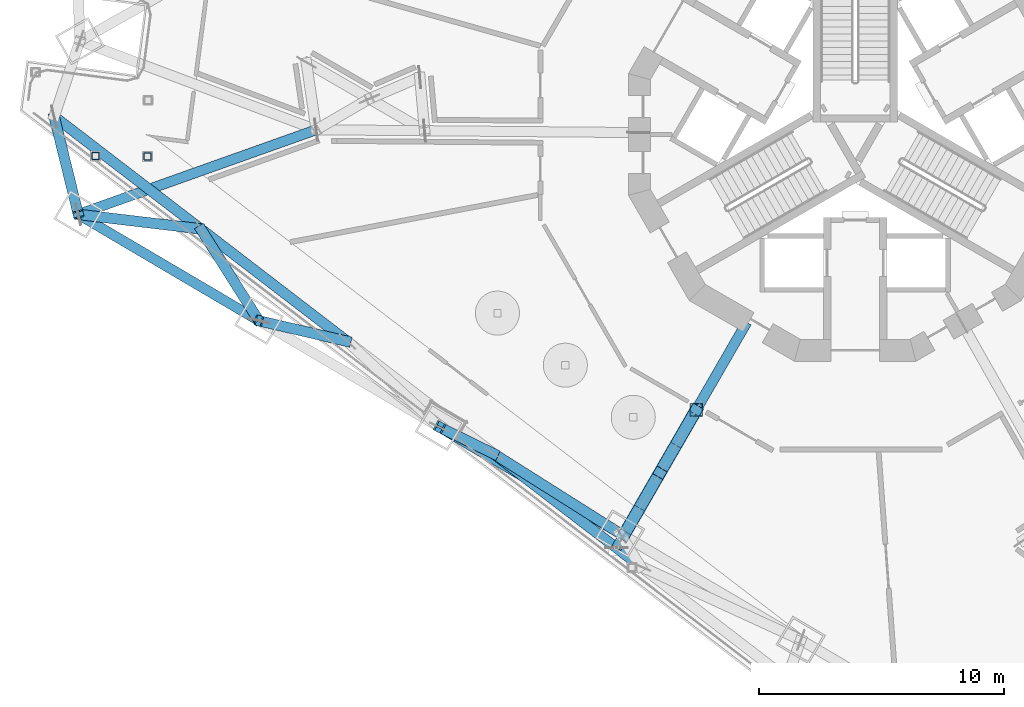
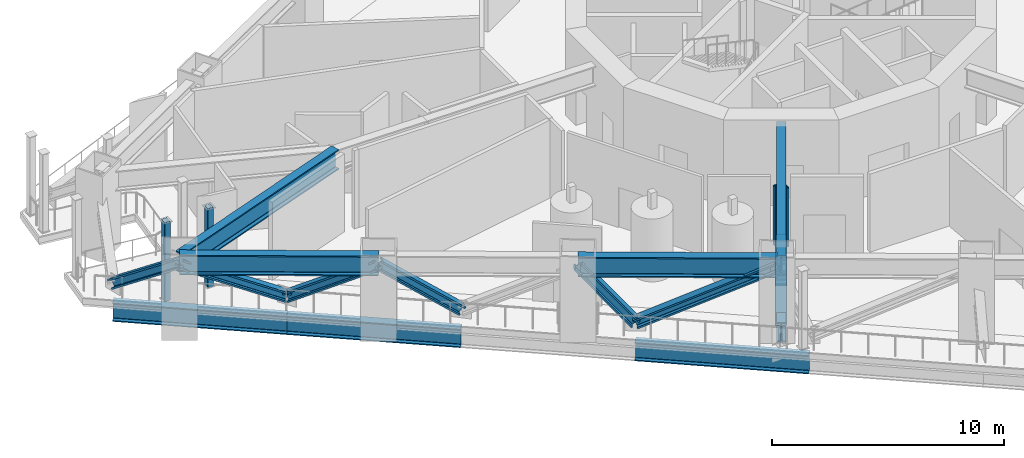
# One storey, part 2 of 23: 22 members, 1 beam.
"""IFC4 building model written with IfcOpenShell, lengths in metres."""

from ifc_helpers import new_model, si_unit, direction, frame, origin, origin_2d, place, context, subcontext, project, spatial, hollow_rectangle, i_section, extrude, material, material_profile, profile_set, type_object, element, save


model = new_model("IFC4")

# Units and contexts
model_context = context("Model", 3, precision=1e-05, world=origin(), true_north=direction((0.0, 1.0)))
body_context = subcontext(model_context, "Body", "Model", "MODEL_VIEW")
ifc_project = project(units=[si_unit("LENGTHUNIT", "METRE"), si_unit("AREAUNIT", "SQUARE_METRE"), si_unit("VOLUMEUNIT", "CUBIC_METRE"), si_unit("PLANEANGLEUNIT", "RADIAN"), si_unit("MASSUNIT", "GRAM", prefix="KILO")], contexts=[model_context])

# Site, building, storey
site_placement = place(None, origin())
site = spatial("IfcSite", under=ifc_project, at=site_placement, CompositionType="ELEMENT")
building_placement = place(site_placement, origin())
building = spatial("IfcBuilding", under=site, at=building_placement, Name="Trine Commons Tower", CompositionType="ELEMENT")
storey_placement = place(building_placement, frame((0.0, 0.0, 156.60009765625)))
storey = spatial("IfcBuildingStorey", under=building, at=storey_placement, Name="L40", CompositionType="ELEMENT", Elevation=156.60009765625)

# Beam
ifc_material_1 = material(Name="Structural steel ASTM A992 Gr50", Category="steel")
ifc_material_profile_1 = material_profile(ifc_material_1, i_section(OverallWidth=0.412841796875, OverallDepth=1.0478515625, WebThickness=0.033935546875, FlangeThickness=0.059814453125, FilletRadius=0.030029296875, at=origin_2d()), Name="W40X431")
ifc_profile_set_1 = profile_set([ifc_material_profile_1], Name="Structural steel ASTM A992 Gr50")
beam_type = type_object("IfcBeamType", Name="Steel beam W40X431, ASTM A992 Gr50", PredefinedType="BEAM", material=ifc_profile_set_1)
beam_placement = place(storey_placement, frame((48.234375, 59.232666015625, 3.6259765625), z_axis=(0.942193624843, 0.335068908293, 0.0), x_axis=(-0.335068908293, 0.942193624843, 0.0)))
element("IfcBeam", 1, at=beam_placement, inside=storey, type_object=beam_type, Name="Transfer truss girder T4-UV-01", PredefinedType="BEAM", context=body_context, shape_type="SweptSolid", body=[
    extrude(i_section(OverallWidth=0.412841796875, OverallDepth=1.0478515625, WebThickness=0.033935546875, FlangeThickness=0.059814453125, FilletRadius=0.030029296875, at=origin_2d()), origin(), (0.0, 0.0, 1.0), 10.325439453125),
])

# Members
ifc_material_2 = material(Name="Structural steel ASTM A500 Gr C", Category="steel")
ifc_material_profile_2 = material_profile(ifc_material_2, hollow_rectangle(XDim=0.508056640625, YDim=0.508056640625, WallThickness=0.014892578125, InnerFilletRadius=0.00732421875, OuterFilletRadius=0.022216796875, at=origin_2d()), Name="HSS20X20X5/8")
ifc_profile_set_2 = profile_set([ifc_material_profile_2], Name="Structural steel ASTM A500 Gr C")
member_type_1 = type_object("IfcMemberType", Name="Steel brace HSS20X20X5/8, ASTM A500 Gr C", PredefinedType="BRACE", material=ifc_profile_set_2)
member_1_placement = place(storey_placement, frame((73.5, 51.24169921875, 0.523681640625), z_axis=(-0.345729391684, -0.598786705019, 0.722444232878), x_axis=(0.866013049743, -0.500021397217, 0.0)))
element("IfcMember", 2, at=member_1_placement, inside=storey, type_object=member_type_1, Name="Outrigger truss brace T4-OB-05", PredefinedType="BRACE", context=body_context, shape_type="SweptSolid", body=[
    extrude(hollow_rectangle(XDim=0.508056640625, YDim=0.508056640625, WallThickness=0.014892578125, InnerFilletRadius=0.00732421875, OuterFilletRadius=0.022216796875, at=origin_2d()), origin(), (0.0, 0.0, 1.0), 4.294189453125),
])
member_2_placement = place(storey_placement, frame((73.5, 51.24169921875, 3.6259765625), z_axis=(-0.34569353113, -0.598823070701, -0.722431251076), x_axis=(0.866048655292, -0.499959725045, 0.0)))
element("IfcMember", 3, at=member_2_placement, inside=storey, type_object=member_type_1, Name="Outrigger truss brace T4-OB-06a", PredefinedType="BRACE", context=body_context, shape_type="SweptSolid", body=[
    extrude(hollow_rectangle(XDim=0.508056640625, YDim=0.508056640625, WallThickness=0.014892578125, InnerFilletRadius=0.00732421875, OuterFilletRadius=0.022216796875, at=origin_2d()), origin(), (0.0, 0.0, 1.0), 2.14697265625),
])
member_3_placement = place(storey_placement, frame((72.7578125, 49.9560546875, 2.074951171875), z_axis=(-0.345765246923, -0.59875034209, -0.722457211098), x_axis=(0.865977442731, -0.500083061782, 0.0)))
element("IfcMember", 4, at=member_3_placement, inside=storey, type_object=member_type_1, Name="Outrigger truss brace T4-OB-06b", PredefinedType="BRACE", context=body_context, shape_type="SweptSolid", body=[
    extrude(hollow_rectangle(XDim=0.508056640625, YDim=0.508056640625, WallThickness=0.014892578125, InnerFilletRadius=0.00732421875, OuterFilletRadius=0.022216796875, at=origin_2d()), origin(), (0.0, 0.0, 1.0), 2.147216796875),
])
member_4_placement = place(storey_placement, frame((72.015380859375, 48.67041015625, 0.523681640625), z_axis=(-0.345679331868, -0.598798474216, 0.722458432573), x_axis=(0.866048655292, -0.499959725045, 0.0)))
element("IfcMember", 5, at=member_4_placement, inside=storey, type_object=member_type_1, Name="Outrigger truss brace T4-OB-07", PredefinedType="BRACE", context=body_context, shape_type="SweptSolid", body=[
    extrude(hollow_rectangle(XDim=0.508056640625, YDim=0.508056640625, WallThickness=0.014892578125, InnerFilletRadius=0.00732421875, OuterFilletRadius=0.022216796875, at=origin_2d()), origin(), (0.0, 0.0, 1.0), 4.294189453125),
])
member_5_placement = place(storey_placement, frame((72.015380859375, 48.67041015625, 3.6259765625), z_axis=(-0.34569353113, -0.598823070701, -0.722431251076), x_axis=(0.866048655292, -0.499959725045, 0.0)))
element("IfcMember", 6, at=member_5_placement, inside=storey, type_object=member_type_1, Name="Outrigger truss brace T4-OB-08a", PredefinedType="BRACE", context=body_context, shape_type="SweptSolid", body=[
    extrude(hollow_rectangle(XDim=0.508056640625, YDim=0.508056640625, WallThickness=0.014892578125, InnerFilletRadius=0.00732421875, OuterFilletRadius=0.022216796875, at=origin_2d()), origin(), (0.0, 0.0, 1.0), 2.14697265625),
])
member_6_placement = place(storey_placement, frame((71.273193359375, 47.384765625, 2.074951171875), z_axis=(-0.345665133238, -0.598773878826, -0.722485610721), x_axis=(0.866048655292, -0.499959725045, 0.0)))
element("IfcMember", 7, at=member_6_placement, inside=storey, type_object=member_type_1, Name="Outrigger truss brace T4-OB-08b", PredefinedType="BRACE", context=body_context, shape_type="SweptSolid", body=[
    extrude(hollow_rectangle(XDim=0.508056640625, YDim=0.508056640625, WallThickness=0.014892578125, InnerFilletRadius=0.00732421875, OuterFilletRadius=0.022216796875, at=origin_2d()), origin(), (0.0, 0.0, 1.0), 2.147216796875),
])
ifc_material_profile_3 = material_profile(ifc_material_1, i_section(OverallWidth=0.4287109375, OverallDepth=0.482666015625, WebThickness=0.05126953125, FlangeThickness=0.08154296875, FilletRadius=0.015380859375, at=origin_2d()), Name="W14X455")
ifc_profile_set_3 = profile_set([ifc_material_profile_3], Name="Structural steel ASTM A992 Gr50")
member_type_2 = type_object("IfcMemberType", Name="Steel brace W14X455, ASTM A992 Gr50", PredefinedType="BRACE", material=ifc_profile_set_3)
member_7_placement = place(storey_placement, frame((65.222900390625, 49.444580078125, 0.482421875), z_axis=(0.751844351414, -0.474744330035, 0.457545508498), x_axis=(0.533908788978, 0.845542077635, 0.0)))
element("IfcMember", 8, at=member_7_placement, inside=storey, type_object=member_type_2, Name="Belt truss brace T4-DG-08", PredefinedType="BRACE", context=body_context, shape_type="SweptSolid", body=[
    extrude(i_section(OverallWidth=0.4287109375, OverallDepth=0.482666015625, WebThickness=0.05126953125, FlangeThickness=0.08154296875, FilletRadius=0.015380859375, at=origin_2d()), origin(), (0.0, 0.0, 1.0), 6.870361328125),
])
member_8_placement = place(storey_placement, frame((65.222900390625, 49.444580078125, 0.482421875), z_axis=(-0.554923565925, 0.272119521766, 0.786136630526), x_axis=(-0.440285271866, -0.897857939419, 0.0)))
element("IfcMember", 9, at=member_8_placement, inside=storey, type_object=member_type_2, Name="Belt truss brace T4-DG-09", PredefinedType="BRACE", context=body_context, shape_type="SweptSolid", body=[
    extrude(i_section(OverallWidth=0.4287109375, OverallDepth=0.482666015625, WebThickness=0.05126953125, FlangeThickness=0.08154296875, FilletRadius=0.015380859375, at=origin_2d()), origin(), (0.0, 0.0, 1.0), 3.998779296875),
])
member_9_placement = place(storey_placement, frame((59.2314453125, 54.0419921875, 0.482421875), z_axis=(-0.742988571635, 0.172942189829, 0.64657480727), x_axis=(-0.226705193257, -0.973963426084, 0.0)))
element("IfcMember", 10, at=member_9_placement, inside=storey, type_object=member_type_2, Name="Belt truss brace T4-DG-11", PredefinedType="BRACE", context=body_context, shape_type="SweptSolid", body=[
    extrude(i_section(OverallWidth=0.4287109375, OverallDepth=0.482666015625, WebThickness=0.05126953125, FlangeThickness=0.08154296875, FilletRadius=0.015380859375, at=origin_2d()), origin(), (0.0, 0.0, 1.0), 4.86181640625),
])
member_10_placement = place(storey_placement, frame((53.239990234375, 58.639404296875, 0.482421875), z_axis=(0.436896175697, -0.689843145762, 0.577267845898), x_axis=(0.844821557368, 0.535048162511, 0.0)))
element("IfcMember", 11, at=member_10_placement, inside=storey, type_object=member_type_2, Name="Belt truss brace T4-DG-12", PredefinedType="BRACE", context=body_context, shape_type="SweptSolid", body=[
    extrude(i_section(OverallWidth=0.4287109375, OverallDepth=0.482666015625, WebThickness=0.05126953125, FlangeThickness=0.08154296875, FilletRadius=0.015380859375, at=origin_2d()), origin(), (0.0, 0.0, 1.0), 5.445556640625),
])
member_11_placement = place(storey_placement, frame((47.248779296875, 63.23681640625, 0.482421875), z_axis=(0.190077722349, -0.772223117226, 0.606252353966), x_axis=(0.971017204271, 0.239009600246, 0.0)))
element("IfcMember", 12, at=member_11_placement, inside=storey, type_object=member_type_2, Name="Belt truss brace T4-DG-13", PredefinedType="BRACE", context=body_context, shape_type="SweptSolid", body=[
    extrude(i_section(OverallWidth=0.4287109375, OverallDepth=0.482666015625, WebThickness=0.05126953125, FlangeThickness=0.08154296875, FilletRadius=0.015380859375, at=origin_2d()), origin(), (0.0, 0.0, 1.0), 5.185302734375),
])
member_12_placement = place(storey_placement, frame((53.239990234375, 58.639404296875, 0.482421875), z_axis=(-0.842618802478, 0.099866540995, 0.529169375248), x_axis=(-0.117695500534, -0.993049731461, 0.0)))
element("IfcMember", 13, at=member_12_placement, inside=storey, type_object=member_type_2, Name="Belt truss brace T4-DG-14", PredefinedType="BRACE", context=body_context, shape_type="SweptSolid", body=[
    extrude(i_section(OverallWidth=0.4287109375, OverallDepth=0.482666015625, WebThickness=0.05126953125, FlangeThickness=0.08154296875, FilletRadius=0.015380859375, at=origin_2d()), origin(), (0.0, 0.0, 1.0), 5.9404296875),
])
ifc_material_profile_4 = material_profile(ifc_material_1, i_section(OverallWidth=0.42529296875, OverallDepth=0.965087890625, WebThickness=0.0283203125, FlangeThickness=0.051025390625, FilletRadius=0.024169921875, at=origin_2d()), Name="W36X361")
ifc_profile_set_4 = profile_set([ifc_material_profile_4], Name="Structural steel ASTM A992 Gr50")
member_type_3 = type_object("IfcMemberType", Name="Steel chord W36X361, ASTM A992 Gr50", PredefinedType="CHORD", material=ifc_profile_set_4)
member_13_placement = place(storey_placement, frame((71.214111328125, 44.847412109375, -0.9326171875), z_axis=(-0.793356529938, 0.608757272157, 0.0), x_axis=(-0.608757272157, -0.793356529938, 0.0)))
element("IfcMember", 14, at=member_13_placement, inside=storey, type_object=member_type_3, Name="Belt truss chord T4-LC-04", PredefinedType="CHORD", context=body_context, shape_type="SweptSolid", body=[
    extrude(i_section(OverallWidth=0.42529296875, OverallDepth=0.965087890625, WebThickness=0.0283203125, FlangeThickness=0.051025390625, FilletRadius=0.024169921875, at=origin_2d()), origin(), (0.0, 0.0, 1.0), 7.5517578125),
])
member_14_placement = place(storey_placement, frame((59.2314453125, 54.0419921875, -0.9326171875), z_axis=(-0.793352897067, 0.608762006629, 0.0), x_axis=(-0.608762006629, -0.793352897067, 0.0)))
element("IfcMember", 15, at=member_14_placement, inside=storey, type_object=member_type_3, Name="Belt truss chord T4-LC-06", PredefinedType="CHORD", context=body_context, shape_type="SweptSolid", body=[
    extrude(i_section(OverallWidth=0.42529296875, OverallDepth=0.965087890625, WebThickness=0.0283203125, FlangeThickness=0.051025390625, FilletRadius=0.024169921875, at=origin_2d()), origin(), (0.0, 0.0, 1.0), 7.552001953125),
])
member_15_placement = place(storey_placement, frame((53.239990234375, 58.639404296875, -0.9326171875), z_axis=(-0.793340916264, 0.608777619974, 0.0), x_axis=(-0.608777619974, -0.793340916264, 0.0)))
element("IfcMember", 16, at=member_15_placement, inside=storey, type_object=member_type_3, Name="Belt truss chord T4-LC-07", PredefinedType="CHORD", context=body_context, shape_type="SweptSolid", body=[
    extrude(i_section(OverallWidth=0.42529296875, OverallDepth=0.965087890625, WebThickness=0.0283203125, FlangeThickness=0.051025390625, FilletRadius=0.024169921875, at=origin_2d()), origin(), (0.0, 0.0, 1.0), 7.5517578125),
])
ifc_material_profile_5 = material_profile(ifc_material_1, i_section(OverallWidth=0.412841796875, OverallDepth=1.0478515625, WebThickness=0.033935546875, FlangeThickness=0.059814453125, FilletRadius=0.030029296875, at=origin_2d()), Name="W40X431")
ifc_profile_set_5 = profile_set([ifc_material_profile_5], Name="Structural steel ASTM A992 Gr50")
member_type_4 = type_object("IfcMemberType", Name="Steel chord W40X431, ASTM A992 Gr50", PredefinedType="CHORD", material=ifc_profile_set_5)
for number, where, z_axis, x_axis, name in (
    (17, (70.388427734375, 46.182861328125, 3.6259765625), (-0.861627224705, 0.507541649174, 0.0), (-0.507541649174, -0.861627224705, 0.0), "Belt truss chord T4-UC-04"),
    (18, (55.619140625, 54.8828125, 3.6259765625), (-0.861634562482, 0.507529192004, 0.0), (-0.507529192004, -0.861634562482, 0.0), "Belt truss chord T4-UC-06"),
):
    element("IfcMember", number, at=place(storey_placement, frame(where, z_axis=z_axis, x_axis=x_axis)), inside=storey, type_object=member_type_4, Name=name, PredefinedType="CHORD", context=body_context, shape_type="SweptSolid", body=[
        extrude(i_section(OverallWidth=0.412841796875, OverallDepth=1.0478515625, WebThickness=0.033935546875, FlangeThickness=0.059814453125, FilletRadius=0.030029296875, at=origin_2d()), origin(), (0.0, 0.0, 1.0), 8.570556640625),
    ])
member_16_placement = place(storey_placement, frame((73.5, 51.24169921875, 0.523681640625), z_axis=(-0.499984993184, -0.866034067801, 0.0), x_axis=(0.866034067801, -0.499984993184, 0.0)))
element("IfcMember", 19, at=member_16_placement, inside=storey, type_object=member_type_4, Name="Outrigger truss chord T4-OL-02", PredefinedType="CHORD", context=body_context, shape_type="SweptSolid", body=[
    extrude(i_section(OverallWidth=0.412841796875, OverallDepth=1.0478515625, WebThickness=0.033935546875, FlangeThickness=0.059814453125, FilletRadius=0.030029296875, at=origin_2d()), origin(), (0.0, 0.0, 1.0), 6.520263671875),
])
member_17_placement = place(storey_placement, frame((75.563720703125, 54.81591796875, 3.6259765625), z_axis=(-0.500005202617, -0.866022400031, 0.0), x_axis=(0.866022400031, -0.500005202617, 0.0)))
element("IfcMember", 20, at=member_17_placement, inside=storey, type_object=member_type_4, Name="Outrigger truss chord T4-OU-02", PredefinedType="CHORD", context=body_context, shape_type="SweptSolid", body=[
    extrude(i_section(OverallWidth=0.412841796875, OverallDepth=1.0478515625, WebThickness=0.033935546875, FlangeThickness=0.059814453125, FilletRadius=0.030029296875, at=origin_2d()), origin(), (0.0, 0.0, 1.0), 10.0654296875),
])
ifc_material_profile_6 = material_profile(ifc_material_2, hollow_rectangle(XDim=0.3046875, YDim=0.3046875, WallThickness=0.014892578125, InnerFilletRadius=0.00732421875, OuterFilletRadius=0.022216796875, at=origin_2d()), Name="HSS12X12X5/8")
ifc_profile_set_6 = profile_set([ifc_material_profile_6], Name="Structural steel ASTM A500 Gr C")
member_type_5 = type_object("IfcMemberType", Name="Steel post HSS12X12X5/8, ASTM A500 Gr C", PredefinedType="POST", material=ifc_profile_set_6)
for number, where, z_axis, x_axis, name in (
    (21, (51.06591796875, 61.6025390625, 0.0), (0.0, 0.0, 1.0), (1.0, 0.0, 0.0), "Roof post SP4-12"),
    (22, (48.943603515625, 61.62109375, 0.0), (0.0, 0.0, 1.0), (1.0, 0.0, 0.0), "Roof post SP4-14"),
):
    element("IfcMember", number, at=place(storey_placement, frame(where, z_axis=z_axis, x_axis=x_axis)), inside=storey, type_object=member_type_5, Name=name, PredefinedType="POST", context=body_context, shape_type="SweptSolid", body=[
        extrude(hollow_rectangle(XDim=0.3046875, YDim=0.3046875, WallThickness=0.014892578125, InnerFilletRadius=0.00732421875, OuterFilletRadius=0.022216796875, at=origin_2d()), origin(), (0.0, 0.0, 1.0), 4.14990234375),
    ])
ifc_material_profile_7 = material_profile(ifc_material_2, hollow_rectangle(XDim=0.508056640625, YDim=0.508056640625, WallThickness=0.014892578125, InnerFilletRadius=0.00732421875, OuterFilletRadius=0.022216796875, at=origin_2d()), Name="HSS20X20X5/8")
ifc_profile_set_7 = profile_set([ifc_material_profile_7], Name="Structural steel ASTM A500 Gr C")
member_type_6 = type_object("IfcMemberType", Name="Steel post HSS20X20X5/8, ASTM A500 Gr C", PredefinedType="POST", material=ifc_profile_set_7)
member_18_placement = place(storey_placement, frame((73.5, 51.24169921875, 0.523681640625), z_axis=(0.0, 0.0, 1.0), x_axis=(1.0, 0.0, 0.0)))
element("IfcMember", 23, at=member_18_placement, inside=storey, type_object=member_type_6, Name="Outrigger truss post T4-OP-02", PredefinedType="POST", context=body_context, shape_type="SweptSolid", body=[
    extrude(hollow_rectangle(XDim=0.508056640625, YDim=0.508056640625, WallThickness=0.014892578125, InnerFilletRadius=0.00732421875, OuterFilletRadius=0.022216796875, at=origin_2d()), origin(), (0.0, 0.0, 1.0), 3.102294921875),
])

save(model, "model.ifc")
